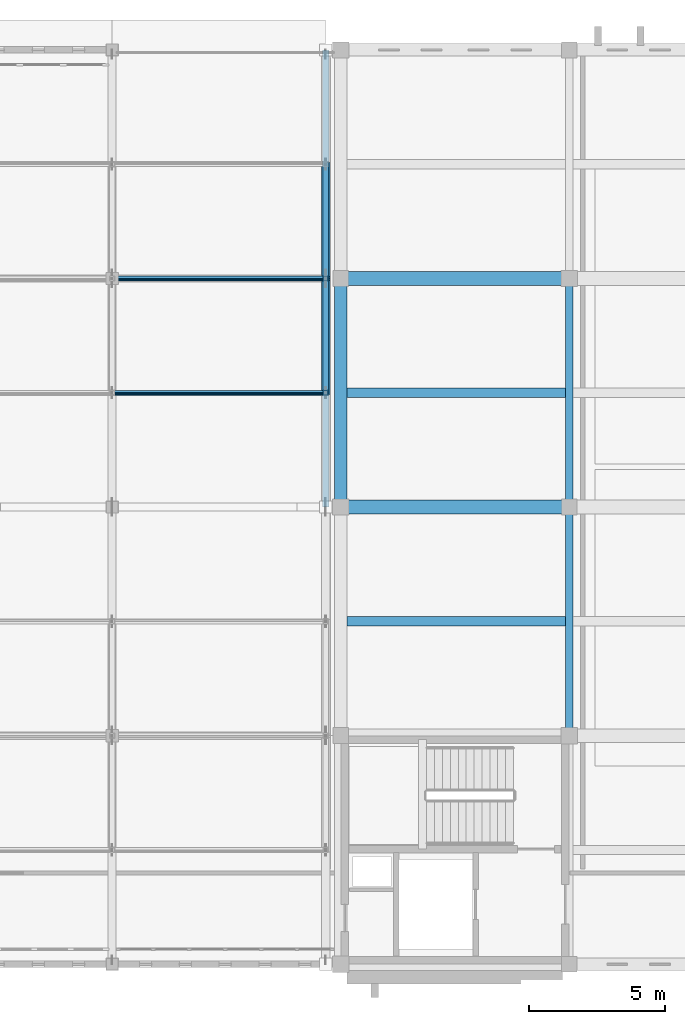
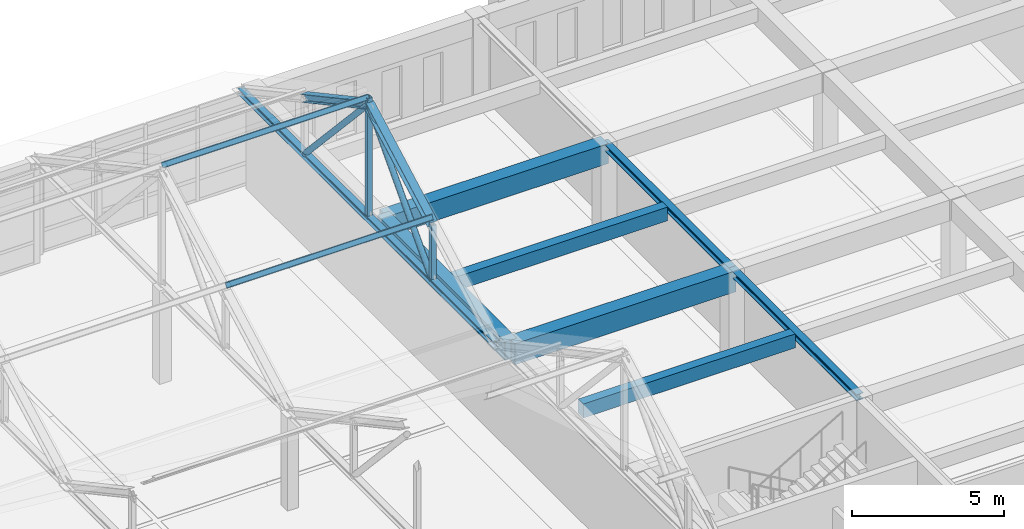
# One storey, part 40 of 110: 9 members, 7 beams.
"""IFC4 building model written with IfcOpenShell, lengths in metres."""

from ifc_helpers import new_model, si_unit, direction, frame, origin, origin_2d, place, context, subcontext, project, spatial, rectangle, hollow_rectangle, hollow_circle, i_section, extrude, material, material_profile, profile_set, type_object, element, save


model = new_model("IFC4")

# Units and contexts
model_context = context("Model", 3, precision=1e-05, world=origin(), true_north=direction((0.0, 1.0)))
body_context = subcontext(model_context, "Body", "Model", "MODEL_VIEW")
ifc_project = project(units=[si_unit("LENGTHUNIT", "METRE"), si_unit("AREAUNIT", "SQUARE_METRE"), si_unit("VOLUMEUNIT", "CUBIC_METRE"), si_unit("PLANEANGLEUNIT", "RADIAN"), si_unit("MASSUNIT", "GRAM", prefix="KILO")], contexts=[model_context])

# Site, building, storey
site_placement = place(None, origin())
site = spatial("IfcSite", under=ifc_project, at=site_placement, CompositionType="ELEMENT")
building_placement = place(site_placement, origin())
building = spatial("IfcBuilding", under=site, at=building_placement, Name="Kveldsbrygga Polytechnic", CompositionType="ELEMENT")
storey_placement = place(building_placement, frame((0.0, 0.0, 9.860107421875)))
storey = spatial("IfcBuildingStorey", under=building, at=storey_placement, Name="L02", CompositionType="ELEMENT", Elevation=9.860107421875)

# Beams
ifc_material_1 = material(Name="Concrete C35/45", Category="concrete")
ifc_material_profile_1 = material_profile(ifc_material_1, rectangle(XDim=0.449951171875, YDim=0.75, at=origin_2d()), Name="RC 450x750")
ifc_profile_set_1 = profile_set([ifc_material_profile_1], Name="Concrete C35/45")
beam_type_1 = type_object("IfcBeamType", Name="BM-RC-450x750", PredefinedType="BEAM", material=ifc_profile_set_1)
beam_1_placement = place(storey_placement, frame((100.800048828125, 100.800048828125, 3.375), z_axis=(0.0, 1.0, 0.0), x_axis=(-1.0, 0.0, 0.0)))
element("IfcBeam", 1, at=beam_1_placement, inside=storey, type_object=beam_type_1, Name="Primary Beam BMY-L02-12-12to13", PredefinedType="BEAM", context=body_context, shape_type="SweptSolid", body=[
    extrude(rectangle(XDim=0.449951171875, YDim=0.75, at=origin_2d()), origin(), (0.0, 0.0, 1.0), 8.39990234375),
])
ifc_material_profile_2 = material_profile(ifc_material_1, rectangle(XDim=0.5, YDim=0.800048828125, at=origin_2d()), Name="RC 500x800")
ifc_profile_set_2 = profile_set([ifc_material_profile_2], Name="Concrete C35/45")
beam_type_2 = type_object("IfcBeamType", Name="BM-RC-500x800", PredefinedType="BEAM", material=ifc_profile_set_2)
beam_2_placement = place(storey_placement, frame((100.800048828125, 109.199951171875, 3.349853515625), z_axis=(1.0, 0.0, 0.0), x_axis=(0.0, 1.0, 0.0)))
element("IfcBeam", 2, at=beam_2_placement, inside=storey, type_object=beam_type_2, Name="Primary Beam BMX-L02-12to13-13", PredefinedType="BEAM", context=body_context, shape_type="SweptSolid", body=[
    extrude(rectangle(XDim=0.5, YDim=0.800048828125, at=origin_2d()), origin(), (0.0, 0.0, 1.0), 8.39990234375),
])
ifc_material_profile_3 = material_profile(ifc_material_1, rectangle(XDim=0.52001953125, YDim=0.840087890625, at=origin_2d()), Name="RC 520x840")
ifc_profile_set_3 = profile_set([ifc_material_profile_3], Name="Concrete C35/45")
beam_type_3 = type_object("IfcBeamType", Name="BM-RC-520x840", PredefinedType="BEAM", material=ifc_profile_set_3)
beam_3_placement = place(storey_placement, frame((100.800048828125, 100.800048828125, 3.329833984375), z_axis=(1.0, 0.0, 0.0), x_axis=(0.0, 1.0, 0.0)))
element("IfcBeam", 3, at=beam_3_placement, inside=storey, type_object=beam_type_3, Name="Primary Beam BMX-L02-12to13-12", PredefinedType="BEAM", context=body_context, shape_type="SweptSolid", body=[
    extrude(rectangle(XDim=0.52001953125, YDim=0.840087890625, at=origin_2d()), origin(), (0.0, 0.0, 1.0), 8.39990234375),
])
ifc_material_2 = material(Name="Steel S355", Category="steel")
ifc_material_profile_4 = material_profile(ifc_material_2, i_section(OverallWidth=0.260009765625, OverallDepth=0.260009765625, WebThickness=0.010009765625, FlangeThickness=0.017578125, FilletRadius=0.02392578125, at=origin_2d()), Name="HEB 260")
ifc_profile_set_4 = profile_set([ifc_material_profile_4], Name="Steel S355")
beam_type_4 = type_object("IfcBeamType", Name="BM-STL-HEB260", PredefinedType="BEAM", material=ifc_profile_set_4)
beam_4_placement = place(storey_placement, frame((109.199951171875, 92.39990234375, 3.619873046875), z_axis=(0.0, 1.0, 0.0), x_axis=(-1.0, 0.0, 0.0)))
element("IfcBeam", 4, at=beam_4_placement, inside=storey, type_object=beam_type_4, Name="Primary Beam BMY-L02-13-11to12", PredefinedType="BEAM", context=body_context, shape_type="SweptSolid", body=[
    extrude(i_section(OverallWidth=0.260009765625, OverallDepth=0.260009765625, WebThickness=0.010009765625, FlangeThickness=0.017578125, FilletRadius=0.02392578125, at=origin_2d()), origin(), (0.0, 0.0, 1.0), 8.400146484375),
])
beam_5_placement = place(storey_placement, frame((109.199951171875, 100.800048828125, 3.619873046875), z_axis=(0.0, 1.0, 0.0), x_axis=(-1.0, 0.0, 0.0)))
element("IfcBeam", 5, at=beam_5_placement, inside=storey, type_object=beam_type_4, Name="Primary Beam BMY-L02-13-12to13", PredefinedType="BEAM", context=body_context, shape_type="SweptSolid", body=[
    extrude(i_section(OverallWidth=0.260009765625, OverallDepth=0.260009765625, WebThickness=0.010009765625, FlangeThickness=0.017578125, FilletRadius=0.02392578125, at=origin_2d()), origin(), (0.0, 0.0, 1.0), 8.39990234375),
])
ifc_material_profile_5 = material_profile(ifc_material_1, rectangle(XDim=0.340087890625, YDim=0.56005859375, at=origin_2d()), Name="RC 340x560")
ifc_profile_set_5 = profile_set([ifc_material_profile_5], Name="Concrete C35/45")
beam_type_5 = type_object("IfcBeamType", Name="JST-RC-340x560", PredefinedType="JOIST", material=ifc_profile_set_5)
beam_6_placement = place(storey_placement, frame((101.02490234375, 96.60009765625, 3.469970703125), z_axis=(1.0, 0.0, 0.0), x_axis=(0.0, 1.0, 0.0)))
element("IfcBeam", 6, at=beam_6_placement, inside=storey, type_object=beam_type_5, Name="Secondary Joist JST-L02-12-11", PredefinedType="JOIST", context=body_context, shape_type="SweptSolid", body=[
    extrude(rectangle(XDim=0.340087890625, YDim=0.56005859375, at=origin_2d()), origin(), (0.0, 0.0, 1.0), 8.045166015625),
])
ifc_material_profile_6 = material_profile(ifc_material_1, rectangle(XDim=0.35009765625, YDim=0.550048828125, at=origin_2d()), Name="RC 350x550")
ifc_profile_set_6 = profile_set([ifc_material_profile_6], Name="Concrete C35/45")
beam_type_6 = type_object("IfcBeamType", Name="JST-RC-350x550", PredefinedType="JOIST", material=ifc_profile_set_6)
beam_7_placement = place(storey_placement, frame((101.02490234375, 105.0, 3.474853515625), z_axis=(1.0, 0.0, 0.0), x_axis=(0.0, 1.0, 0.0)))
element("IfcBeam", 7, at=beam_7_placement, inside=storey, type_object=beam_type_6, Name="Secondary Joist JST-L02-12-12", PredefinedType="JOIST", context=body_context, shape_type="SweptSolid", body=[
    extrude(rectangle(XDim=0.35009765625, YDim=0.550048828125, at=origin_2d()), origin(), (0.0, 0.0, 1.0), 8.045166015625),
])

# Members
ifc_material_profile_7 = material_profile(ifc_material_2, i_section(OverallWidth=0.10009765625, OverallDepth=0.199951171875, WebThickness=0.005615234375, FlangeThickness=0.008544921875, FilletRadius=0.011962890625, at=origin_2d()), Name="IPE 200")
ifc_profile_set_7 = profile_set([ifc_material_profile_7], Name="Steel S355")
member_type_1 = type_object("IfcMemberType", Name="PRL-IPE200", PredefinedType="PURLIN", material=ifc_profile_set_7)
for number, where, z_axis, x_axis, name in (
    (8, (92.39990234375, 105.0, 6.33349609375), (1.0, 0.0, 0.0), (0.0, 0.879292204483, -0.476282709256), "Roof Purlin V2L2-PRL-7-1"),
    (9, (92.39990234375, 109.199951171875, 8.608642578125), (1.0, 0.0, 0.0), (0.0, 0.879292204483, -0.476282709256), "Roof Purlin V2L2-PRL-7-2"),
):
    element("IfcMember", number, at=place(storey_placement, frame(where, z_axis=z_axis, x_axis=x_axis)), inside=storey, type_object=member_type_1, Name=name, PredefinedType="PURLIN", context=body_context, shape_type="SweptSolid", body=[
        extrude(i_section(OverallWidth=0.10009765625, OverallDepth=0.199951171875, WebThickness=0.005615234375, FlangeThickness=0.008544921875, FilletRadius=0.011962890625, at=origin_2d()), origin(), (0.0, 0.0, 1.0), 7.85009765625),
    ])
ifc_material_profile_8 = material_profile(ifc_material_2, i_section(OverallWidth=0.239990234375, OverallDepth=0.22998046875, WebThickness=0.007568359375, FlangeThickness=0.011962890625, FilletRadius=0.02099609375, at=origin_2d()), Name="HEA 240")
ifc_profile_set_8 = profile_set([ifc_material_profile_8], Name="Steel S355")
member_type_2 = type_object("IfcMemberType", Name="TR-BOT-HEA240", PredefinedType="CHORD", material=ifc_profile_set_8)
member_1_placement = place(storey_placement, frame((100.25, 100.800048828125, 3.77978515625), z_axis=(0.0, 1.0, 0.0), x_axis=(-1.0, 0.0, 0.0)))
element("IfcMember", 10, at=member_1_placement, inside=storey, type_object=member_type_2, Name="Truss Bottom Chord V2L2-T08-BC-1", PredefinedType="CHORD", context=body_context, shape_type="SweptSolid", body=[
    extrude(i_section(OverallWidth=0.239990234375, OverallDepth=0.22998046875, WebThickness=0.007568359375, FlangeThickness=0.011962890625, FilletRadius=0.02099609375, at=origin_2d()), origin(), (0.0, 0.0, 1.0), 16.800048828125),
])
ifc_material_profile_9 = material_profile(ifc_material_2, hollow_circle(Radius=0.109619140625, WallThickness=0.012451171875, at=origin_2d()), Name="CHS 219.1x12.5")
ifc_profile_set_9 = profile_set([ifc_material_profile_9], Name="Steel S355")
member_type_3 = type_object("IfcMemberType", Name="TR-DIAG-CHS219", PredefinedType="BRACE", material=ifc_profile_set_9)
for number, where, z_axis, x_axis, name in (
    (11, (100.25, 105.0, 3.77978515625), (0.0, 0.678271914864, 0.734811002576), (-1.0, 0.0, 0.0), "Truss Diagonal V2L2-T08-DG-2"),
    (12, (100.25, 109.199951171875, 8.329833984375), (0.0, 0.678271914864, -0.734811002576), (-1.0, 0.0, 0.0), "Truss Diagonal V2L2-T08-DG-3"),
):
    element("IfcMember", number, at=place(storey_placement, frame(where, z_axis=z_axis, x_axis=x_axis)), inside=storey, type_object=member_type_3, Name=name, PredefinedType="BRACE", context=body_context, shape_type="SweptSolid", body=[
        extrude(hollow_circle(Radius=0.109619140625, WallThickness=0.012451171875, at=origin_2d()), origin(), (0.0, 0.0, 1.0), 6.192138671875),
    ])
ifc_material_profile_10 = material_profile(ifc_material_2, hollow_rectangle(XDim=0.179931640625, YDim=0.179931640625, WallThickness=0.010009765625, at=origin_2d()), Name="SHS 180x180x10.0")
ifc_profile_set_10 = profile_set([ifc_material_profile_10], Name="Steel S355")
member_type_4 = type_object("IfcMemberType", Name="TR-POST-SHS180", PredefinedType="STRUT", material=ifc_profile_set_10)
member_2_placement = place(storey_placement, frame((100.25, 105.0, 3.77978515625), z_axis=(0.0, 0.0, 1.0), x_axis=(1.0, 0.0, 0.0)))
element("IfcMember", 13, at=member_2_placement, inside=storey, type_object=member_type_4, Name="Truss Vertical V2L2-T08-VT-1", PredefinedType="STRUT", context=body_context, shape_type="SweptSolid", body=[
    extrude(hollow_rectangle(XDim=0.179931640625, YDim=0.179931640625, WallThickness=0.010009765625, at=origin_2d()), origin(), (0.0, 0.0, 1.0), 2.275146484375),
])
member_3_placement = place(storey_placement, frame((100.25, 109.199951171875, 3.77978515625), z_axis=(0.0, 0.0, 1.0), x_axis=(1.0, 0.0, 0.0)))
element("IfcMember", 14, at=member_3_placement, inside=storey, type_object=member_type_4, Name="Truss Vertical V2L2-T08-VT-2", PredefinedType="STRUT", context=body_context, shape_type="SweptSolid", body=[
    extrude(hollow_rectangle(XDim=0.179931640625, YDim=0.179931640625, WallThickness=0.010009765625, at=origin_2d()), origin(), (0.0, 0.0, 1.0), 4.828857421875),
])
ifc_material_profile_11 = material_profile(ifc_material_2, i_section(OverallWidth=0.300048828125, OverallDepth=0.2900390625, WebThickness=0.008544921875, FlangeThickness=0.013916015625, FilletRadius=0.027099609375, at=origin_2d()), Name="HEA 300")
ifc_profile_set_11 = profile_set([ifc_material_profile_11], Name="Steel S355")
member_type_5 = type_object("IfcMemberType", Name="TR-TOP-HEA300", PredefinedType="CHORD", material=ifc_profile_set_11)
for number, where, z_axis, x_axis, name in (
    (15, (100.25, 105.0, 6.054931640625), (0.0, 0.879298209803, 0.47627162233), (-1.0, 0.0, 0.0), "Truss Top Chord V2L2-T08-TC-2"),
    (16, (100.25, 109.199951171875, 8.329833984375), (0.0, 0.879298209803, -0.47627162233), (-1.0, 0.0, 0.0), "Truss Top Chord V2L2-T08-TC-3"),
):
    element("IfcMember", number, at=place(storey_placement, frame(where, z_axis=z_axis, x_axis=x_axis)), inside=storey, type_object=member_type_5, Name=name, PredefinedType="CHORD", context=body_context, shape_type="SweptSolid", body=[
        extrude(i_section(OverallWidth=0.300048828125, OverallDepth=0.2900390625, WebThickness=0.008544921875, FlangeThickness=0.013916015625, FilletRadius=0.027099609375, at=origin_2d()), origin(), (0.0, 0.0, 1.0), 4.7763671875),
    ])

save(model, "model.ifc")
